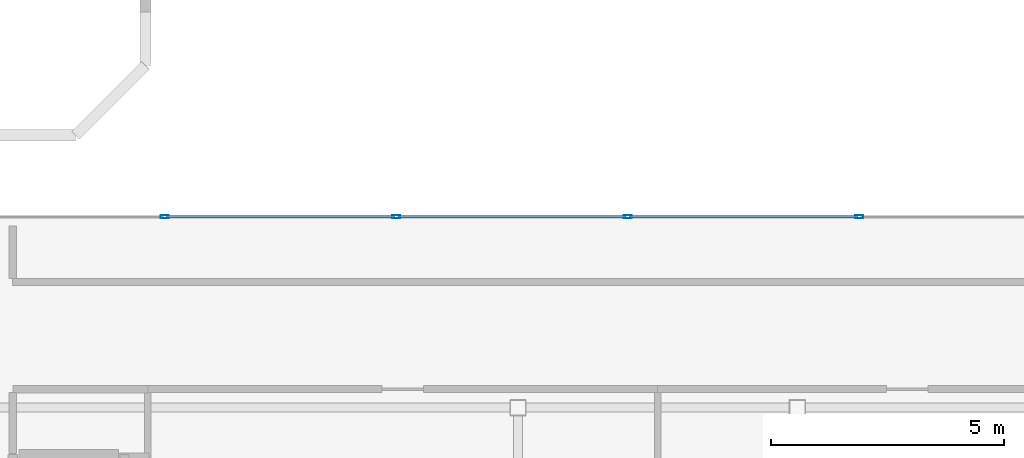
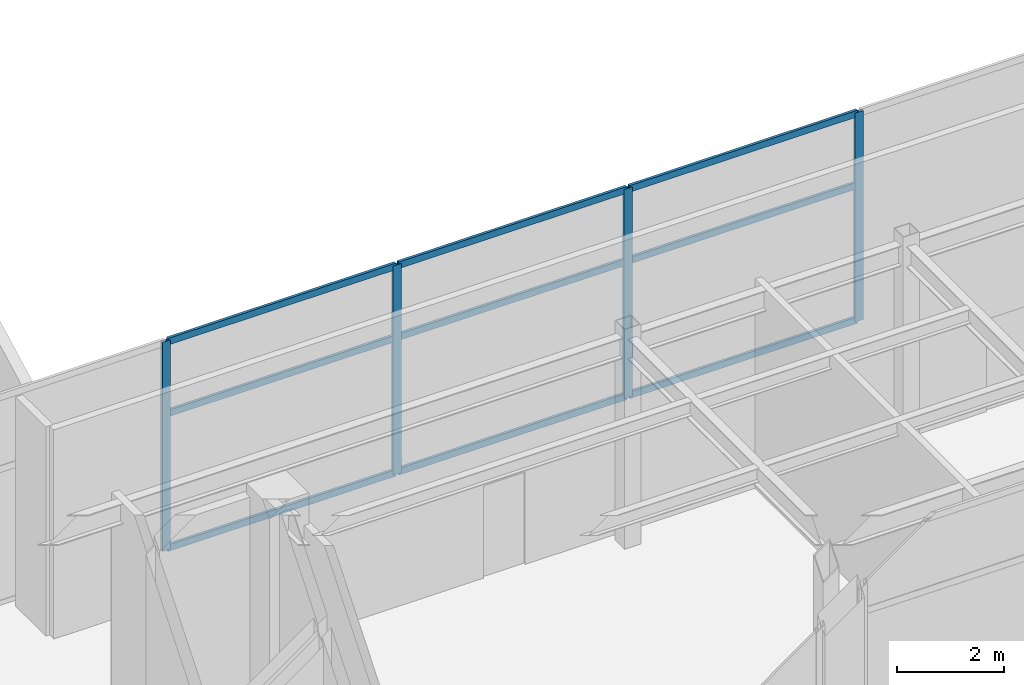
# One storey, part 8 of 12: 13 members, 1 element without a shape of its own.
"""IFC4 building model written with IfcOpenShell, lengths in metres."""

from ifc_helpers import new_model, si_unit, direction, frame, origin, origin_2d, place, context, subcontext, project, spatial, hollow_rectangle, extrude, material, layer, layer_set, material_profile, profile_set, type_object, element, aggregate, save


model = new_model("IFC4")

# Units and contexts
model_context = context("Model", 3, precision=1e-05, world=origin(), true_north=direction((0.0, 1.0)))
body_context = subcontext(model_context, "Body", "Model", "MODEL_VIEW")
ifc_project = project(units=[si_unit("LENGTHUNIT", "METRE"), si_unit("AREAUNIT", "SQUARE_METRE"), si_unit("VOLUMEUNIT", "CUBIC_METRE"), si_unit("PLANEANGLEUNIT", "RADIAN"), si_unit("MASSUNIT", "GRAM", prefix="KILO")], contexts=[model_context])

# Site, building, storey
site_placement = place(None, origin())
site = spatial("IfcSite", under=ifc_project, at=site_placement, CompositionType="ELEMENT")
building_placement = place(site_placement, origin())
building = spatial("IfcBuilding", under=site, at=building_placement, Name="Mawjaban Terraces University", CompositionType="ELEMENT")
storey_placement = place(building_placement, frame((0.0, 0.0, 321.699951171875)))
storey = spatial("IfcBuildingStorey", under=building, at=storey_placement, Name="L78", CompositionType="ELEMENT", Elevation=321.699951171875)

# Curtain wall, members
ifc_material_1 = material(Name="Anodised aluminium 6063-T6 and solar-control low-E glass", Category="aluminium")
ifc_layer = layer(ifc_material_1, 0.199951171875)
ifc_layer_set = layer_set([ifc_layer], Name="Anodised aluminium 6063-T6 and solar-control low-E glass")
curtain_wall_type = type_object("IfcCurtainWallType", Name="CWSystem_06_ObservationCrown", PredefinedType="NOTDEFINED", material=ifc_layer_set)
curtain_wall_placement = place(storey_placement, origin())
curtain_wall = element("IfcCurtainWall", 1, at=curtain_wall_placement, inside=storey, type_object=curtain_wall_type, Name="L78 Curtain Wall CW-06 Run 5.1", PredefinedType="NOTDEFINED")
ifc_material_2 = material(Name="Anodised aluminium 6063-T6", Category="aluminium")
ifc_material_profile_1 = material_profile(ifc_material_2, hollow_rectangle(XDim=0.06494140625, YDim=0.179931640625, WallThickness=0.00390625, at=origin_2d()), Name="ALU180X65X4")
ifc_profile_set_1 = profile_set([ifc_material_profile_1], Name="Anodised aluminium 6063-T6")
member_type_1 = type_object("IfcMemberType", Name="Mullion_CW-06", PredefinedType="MULLION", material=ifc_profile_set_1)
member_1_placement = place(storey_placement, frame((53.32861328125, 12.050048828125, 0.0), z_axis=(0.0, 0.0, 1.0), x_axis=(0.0, -1.0, 0.0)))
member_1 = element("IfcMember", 2, at=member_1_placement, type_object=member_type_1, Name="CW-06 mullion 2", PredefinedType="MULLION", context=body_context, shape_type="SweptSolid", body=[
    extrude(hollow_rectangle(XDim=0.06494140625, YDim=0.179931640625, WallThickness=0.00390625, at=origin_2d()), origin(), (0.0, 0.0, 1.0), 4.760009765625),
])
member_2_placement = place(storey_placement, frame((48.357177734375, 12.050048828125, 0.0), z_axis=(0.0, 0.0, 1.0), x_axis=(0.0, -1.0, 0.0)))
member_2 = element("IfcMember", 3, at=member_2_placement, type_object=member_type_1, Name="CW-06 mullion 3", PredefinedType="MULLION", context=body_context, shape_type="SweptSolid", body=[
    extrude(hollow_rectangle(XDim=0.06494140625, YDim=0.179931640625, WallThickness=0.00390625, at=origin_2d()), origin(), (0.0, 0.0, 1.0), 4.760009765625),
])
member_3_placement = place(storey_placement, frame((43.3857421875, 12.050048828125, 0.0), z_axis=(0.0, 0.0, 1.0), x_axis=(0.0, -1.0, 0.0)))
member_3 = element("IfcMember", 4, at=member_3_placement, type_object=member_type_1, Name="CW-06 mullion 4", PredefinedType="MULLION", context=body_context, shape_type="SweptSolid", body=[
    extrude(hollow_rectangle(XDim=0.06494140625, YDim=0.179931640625, WallThickness=0.00390625, at=origin_2d()), origin(), (0.0, 0.0, 1.0), 4.760009765625),
])
member_4_placement = place(storey_placement, frame((38.414306640625, 12.050048828125, 0.0), z_axis=(0.0, 0.0, 1.0), x_axis=(0.0, -1.0, 0.0)))
member_4 = element("IfcMember", 5, at=member_4_placement, type_object=member_type_1, Name="CW-06 mullion 5", PredefinedType="MULLION", context=body_context, shape_type="SweptSolid", body=[
    extrude(hollow_rectangle(XDim=0.06494140625, YDim=0.179931640625, WallThickness=0.00390625, at=origin_2d()), origin(), (0.0, 0.0, 1.0), 4.760009765625),
])
ifc_material_profile_2 = material_profile(ifc_material_2, hollow_rectangle(XDim=0.06005859375, YDim=0.14990234375, WallThickness=0.00390625, at=origin_2d()), Name="ALU150X60X4")
ifc_profile_set_2 = profile_set([ifc_material_profile_2], Name="Anodised aluminium 6063-T6")
member_type_2 = type_object("IfcMemberType", Name="Transom_CW-06", PredefinedType="NOTDEFINED", material=ifc_profile_set_2)
member_5_placement = place(storey_placement, frame((53.296142578125, 12.050048828125, 0.030029296875), z_axis=(-1.0, 0.0, 0.0), x_axis=(0.0, -1.0, 0.0)))
member_5 = element("IfcMember", 6, at=member_5_placement, type_object=member_type_2, Name="CW-06 transom 2.1", ObjectType="TRANSOM", PredefinedType="USERDEFINED", context=body_context, shape_type="SweptSolid", body=[
    extrude(hollow_rectangle(XDim=0.06005859375, YDim=0.14990234375, WallThickness=0.00390625, at=origin_2d()), origin(), (0.0, 0.0, 1.0), 4.906494140625),
])
member_6_placement = place(storey_placement, frame((53.296142578125, 12.050048828125, 3.093994140625), z_axis=(-1.0, 0.0, 0.0), x_axis=(0.0, -1.0, 0.0)))
member_6 = element("IfcMember", 7, at=member_6_placement, type_object=member_type_2, Name="CW-06 transom 2.2", ObjectType="TRANSOM", PredefinedType="USERDEFINED", context=body_context, shape_type="SweptSolid", body=[
    extrude(hollow_rectangle(XDim=0.06005859375, YDim=0.14990234375, WallThickness=0.00390625, at=origin_2d()), origin(), (0.0, 0.0, 1.0), 4.906494140625),
])
member_7_placement = place(storey_placement, frame((53.296142578125, 12.050048828125, 4.72998046875), z_axis=(-1.0, 0.0, 0.0), x_axis=(0.0, -1.0, 0.0)))
member_7 = element("IfcMember", 8, at=member_7_placement, type_object=member_type_2, Name="CW-06 transom 2.3", ObjectType="TRANSOM", PredefinedType="USERDEFINED", context=body_context, shape_type="SweptSolid", body=[
    extrude(hollow_rectangle(XDim=0.06005859375, YDim=0.14990234375, WallThickness=0.00390625, at=origin_2d()), origin(), (0.0, 0.0, 1.0), 4.906494140625),
])
member_8_placement = place(storey_placement, frame((48.32470703125, 12.050048828125, 0.030029296875), z_axis=(-1.0, 0.0, 0.0), x_axis=(0.0, -1.0, 0.0)))
member_8 = element("IfcMember", 9, at=member_8_placement, type_object=member_type_2, Name="CW-06 transom 3.1", ObjectType="TRANSOM", PredefinedType="USERDEFINED", context=body_context, shape_type="SweptSolid", body=[
    extrude(hollow_rectangle(XDim=0.06005859375, YDim=0.14990234375, WallThickness=0.00390625, at=origin_2d()), origin(), (0.0, 0.0, 1.0), 4.906494140625),
])
member_9_placement = place(storey_placement, frame((48.32470703125, 12.050048828125, 3.093994140625), z_axis=(-1.0, 0.0, 0.0), x_axis=(0.0, -1.0, 0.0)))
member_9 = element("IfcMember", 10, at=member_9_placement, type_object=member_type_2, Name="CW-06 transom 3.2", ObjectType="TRANSOM", PredefinedType="USERDEFINED", context=body_context, shape_type="SweptSolid", body=[
    extrude(hollow_rectangle(XDim=0.06005859375, YDim=0.14990234375, WallThickness=0.00390625, at=origin_2d()), origin(), (0.0, 0.0, 1.0), 4.906494140625),
])
member_10_placement = place(storey_placement, frame((48.32470703125, 12.050048828125, 4.72998046875), z_axis=(-1.0, 0.0, 0.0), x_axis=(0.0, -1.0, 0.0)))
member_10 = element("IfcMember", 11, at=member_10_placement, type_object=member_type_2, Name="CW-06 transom 3.3", ObjectType="TRANSOM", PredefinedType="USERDEFINED", context=body_context, shape_type="SweptSolid", body=[
    extrude(hollow_rectangle(XDim=0.06005859375, YDim=0.14990234375, WallThickness=0.00390625, at=origin_2d()), origin(), (0.0, 0.0, 1.0), 4.906494140625),
])
member_11_placement = place(storey_placement, frame((43.353271484375, 12.050048828125, 0.030029296875), z_axis=(-1.0, 0.0, 0.0), x_axis=(0.0, -1.0, 0.0)))
member_11 = element("IfcMember", 12, at=member_11_placement, type_object=member_type_2, Name="CW-06 transom 4.1", ObjectType="TRANSOM", PredefinedType="USERDEFINED", context=body_context, shape_type="SweptSolid", body=[
    extrude(hollow_rectangle(XDim=0.06005859375, YDim=0.14990234375, WallThickness=0.00390625, at=origin_2d()), origin(), (0.0, 0.0, 1.0), 4.906494140625),
])
member_12_placement = place(storey_placement, frame((43.353271484375, 12.050048828125, 3.093994140625), z_axis=(-1.0, 0.0, 0.0), x_axis=(0.0, -1.0, 0.0)))
member_12 = element("IfcMember", 13, at=member_12_placement, type_object=member_type_2, Name="CW-06 transom 4.2", ObjectType="TRANSOM", PredefinedType="USERDEFINED", context=body_context, shape_type="SweptSolid", body=[
    extrude(hollow_rectangle(XDim=0.06005859375, YDim=0.14990234375, WallThickness=0.00390625, at=origin_2d()), origin(), (0.0, 0.0, 1.0), 4.906494140625),
])
member_13_placement = place(storey_placement, frame((43.353271484375, 12.050048828125, 4.72998046875), z_axis=(-1.0, 0.0, 0.0), x_axis=(0.0, -1.0, 0.0)))
member_13 = element("IfcMember", 14, at=member_13_placement, type_object=member_type_2, Name="CW-06 transom 4.3", ObjectType="TRANSOM", PredefinedType="USERDEFINED", context=body_context, shape_type="SweptSolid", body=[
    extrude(hollow_rectangle(XDim=0.06005859375, YDim=0.14990234375, WallThickness=0.00390625, at=origin_2d()), origin(), (0.0, 0.0, 1.0), 4.906494140625),
])
aggregate(curtain_wall, [member_1, member_2, member_3, member_4, member_5, member_6, member_7, member_8, member_9, member_10, member_11, member_12, member_13])

save(model, "model.ifc")
